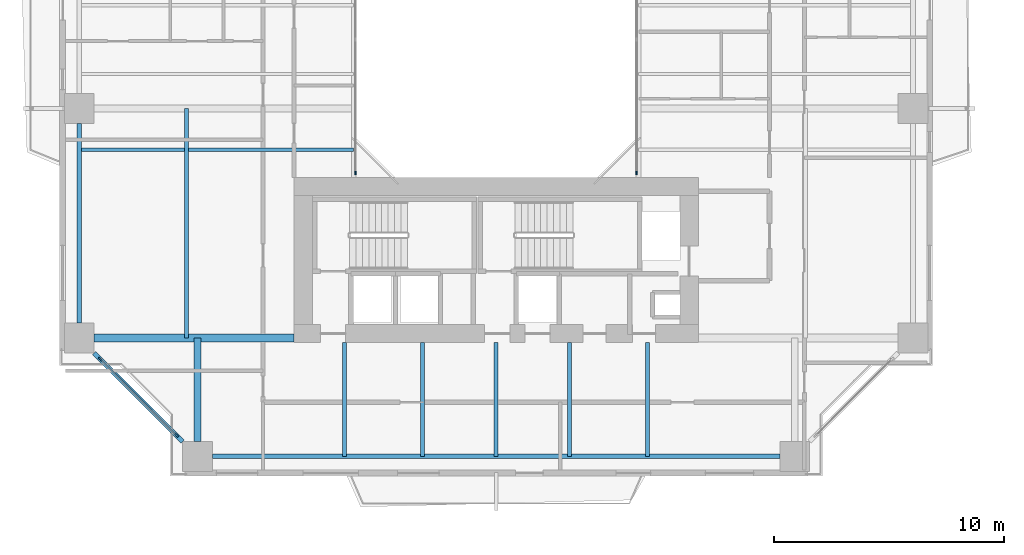
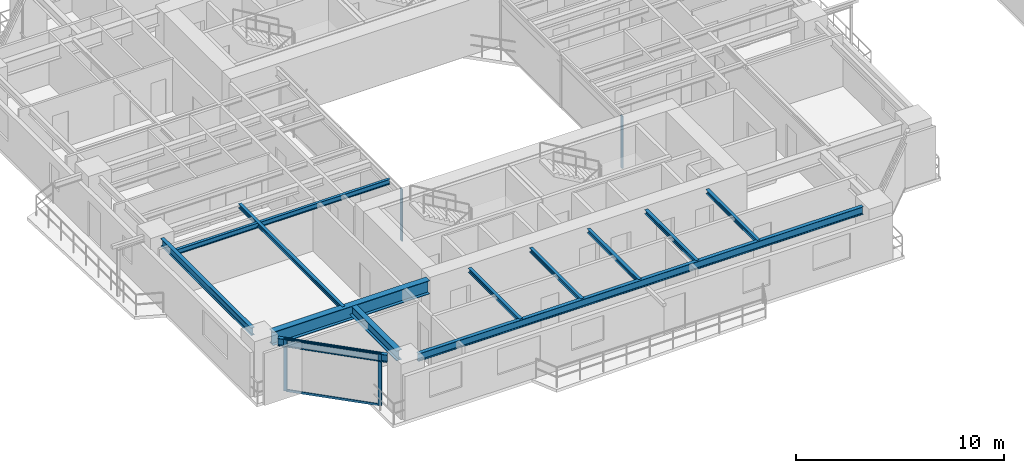
# One storey, part 2 of 23: 12 beams, 6 members, 3 elements without a shape of their own.
"""IFC4 building model written with IfcOpenShell, lengths in metres."""

from ifc_helpers import new_model, si_unit, direction, frame, origin, origin_2d, place, context, subcontext, project, spatial, rectangle, i_section, extrude, source, transform, mapped, material, layer, layer_set, material_profile, profile_set, type_object, element, aggregate, save


model = new_model("IFC4")

# Units and contexts
model_context = context("Model", 3, precision=1e-05, world=origin(), true_north=direction((0.0, 1.0)))
body_context = subcontext(model_context, "Body", "Model", "MODEL_VIEW")
ifc_project = project(units=[si_unit("LENGTHUNIT", "METRE"), si_unit("AREAUNIT", "SQUARE_METRE"), si_unit("VOLUMEUNIT", "CUBIC_METRE"), si_unit("PLANEANGLEUNIT", "RADIAN"), si_unit("MASSUNIT", "GRAM", prefix="KILO"), si_unit("THERMODYNAMICTEMPERATUREUNIT", "KELVIN"), si_unit("POWERUNIT", "WATT")], contexts=[model_context])

# Site, building, storey
site_placement = place(None, origin())
site = spatial("IfcSite", under=ifc_project, at=site_placement, CompositionType="ELEMENT")
building_placement = place(site_placement, origin())
building = spatial("IfcBuilding", under=site, at=building_placement, Name="Qiaomeng Ring Towers", CompositionType="ELEMENT")
storey_placement = place(building_placement, frame((0.0, 0.0, 79.5)))
storey = spatial("IfcBuildingStorey", under=building, at=storey_placement, Name="L22", CompositionType="ELEMENT", Elevation=79.5)

# Beams
ifc_material_1 = material(Name="Steel Q355B", Category="steel")
ifc_material_profile_1 = material_profile(ifc_material_1, i_section(OverallWidth=0.199951171875, OverallDepth=0.449951171875, WebThickness=0.009033203125, FlangeThickness=0.013916015625, FilletRadius=0.01806640625, at=origin_2d()), Name="HN 450x200x9x14")
ifc_profile_set_1 = profile_set([ifc_material_profile_1], Name="Steel Q355B")
beam_type_1 = type_object("IfcBeamType", Name="STR-BM-HN450", PredefinedType="SPANDREL", material=ifc_profile_set_1)
shared_shape_1 = source(origin(), body_context, "Body", "SweptSolid", [
    extrude(i_section(OverallWidth=0.199951171875, OverallDepth=0.449951171875, WebThickness=0.009033203125, FlangeThickness=0.013916015625, FilletRadius=0.01806640625, at=origin_2d()), origin(), (0.0, 0.0, 1.0), 24.7021484375),
])
beam_1_placement = place(storey_placement, frame((6.64892578125, 4.85009765625, 2.844970703125), z_axis=(1.0, 0.0, 0.0), x_axis=(0.0, 1.0, 0.0)))
element("IfcBeam", 1, at=beam_1_placement, inside=storey, type_object=beam_type_1, Name="L22 beam STR-SP-L22-T1-S1-S2", PredefinedType="SPANDREL", context=body_context, shape_type="MappedRepresentation", body=[
    mapped(shared_shape_1, transform((0.0, 0.0, 0.0), x_axis=(1.0, 0.0, 0.0), y_axis=(0.0, 1.0, 0.0), z_axis=(0.0, 0.0, 1.0), scale=1.0)),
])
shared_shape_2 = source(origin(), body_context, "Body", "SweptSolid", [
    extrude(i_section(OverallWidth=0.199951171875, OverallDepth=0.449951171875, WebThickness=0.009033203125, FlangeThickness=0.013916015625, FilletRadius=0.01806640625, at=origin_2d()), origin(), (0.0, 0.0, 1.0), 5.446533203125),
])
beam_2_placement = place(storey_placement, frame((1.499267578125, 9.3505859375, 2.844970703125), z_axis=(0.707106781187, -0.707106781187, 0.0), x_axis=(0.707106781187, 0.707106781187, 0.0)))
element("IfcBeam", 2, at=beam_2_placement, inside=storey, type_object=beam_type_1, Name="L22 beam STR-SP-L22-T1-W1-S1", PredefinedType="SPANDREL", context=body_context, shape_type="MappedRepresentation", body=[
    mapped(shared_shape_2, transform((0.0, 0.0, 0.0), x_axis=(1.0, 0.0, 0.0), y_axis=(0.0, 1.0, 0.0), z_axis=(0.0, 0.0, 1.0), scale=1.0)),
])
shared_shape_3 = source(origin(), body_context, "Body", "SweptSolid", [
    extrude(i_section(OverallWidth=0.199951171875, OverallDepth=0.449951171875, WebThickness=0.009033203125, FlangeThickness=0.013916015625, FilletRadius=0.01806640625, at=origin_2d()), origin(), (0.0, 0.0, 1.0), 8.7021484375),
])
beam_3_placement = place(storey_placement, frame((0.85009765625, 19.35107421875, 2.844970703125), z_axis=(0.0, -1.0, 0.0), x_axis=(1.0, 0.0, 0.0)))
element("IfcBeam", 3, at=beam_3_placement, inside=storey, type_object=beam_type_1, Name="L22 beam STR-SP-L22-T1-W2-W1", PredefinedType="SPANDREL", context=body_context, shape_type="MappedRepresentation", body=[
    mapped(shared_shape_3, transform((0.0, 0.0, 0.0), x_axis=(1.0, 0.0, 0.0), y_axis=(0.0, 1.0, 0.0), z_axis=(0.0, 0.0, 1.0), scale=1.0)),
])
ifc_material_2 = material(Name="Steel Q390GJC", Category="steel")
ifc_material_profile_2 = material_profile(ifc_material_2, i_section(OverallWidth=0.35009765625, OverallDepth=0.800048828125, WebThickness=0.01611328125, FlangeThickness=0.028076171875, at=origin_2d()), Name="WH 800x350x16x28")
ifc_profile_set_2 = profile_set([ifc_material_profile_2], Name="Steel Q390GJC")
beam_type_2 = type_object("IfcBeamType", Name="STR-BM-WH800", PredefinedType="BEAM", material=ifc_profile_set_2)
shared_shape_4 = source(origin(), body_context, "Body", "SweptSolid", [
    extrude(i_section(OverallWidth=0.35009765625, OverallDepth=0.800048828125, WebThickness=0.01611328125, FlangeThickness=0.028076171875, at=origin_2d()), origin(), (0.0, 0.0, 1.0), 8.700927734375),
])
beam_4_placement = place(storey_placement, frame((1.4990234375, 10.0, 2.669921875), z_axis=(1.0, 0.0, 0.0), x_axis=(0.0, 1.0, 0.0)))
element("IfcBeam", 4, at=beam_4_placement, inside=storey, type_object=beam_type_2, Name="L22 beam STR-BM-L22-T1-RAD-W1", PredefinedType="BEAM", context=body_context, shape_type="MappedRepresentation", body=[
    mapped(shared_shape_4, transform((0.0, 0.0, 0.0), x_axis=(1.0, 0.0, 0.0), y_axis=(0.0, 1.0, 0.0), z_axis=(0.0, 0.0, 1.0), scale=1.0)),
])
ifc_material_profile_3 = material_profile(ifc_material_1, i_section(OverallWidth=0.300048828125, OverallDepth=0.587890625, WebThickness=0.011962890625, FlangeThickness=0.02001953125, FilletRadius=0.028076171875, at=origin_2d()), Name="HM 588x300x12x20")
ifc_profile_set_3 = profile_set([ifc_material_profile_3], Name="Steel Q355B")
beam_type_3 = type_object("IfcBeamType", Name="STR-BM-HM588", PredefinedType="BEAM", material=ifc_profile_set_3)
shared_shape_5 = source(origin(), body_context, "Body", "SweptSolid", [
    extrude(i_section(OverallWidth=0.300048828125, OverallDepth=0.587890625, WebThickness=0.011962890625, FlangeThickness=0.02001953125, FilletRadius=0.028076171875, at=origin_2d()), origin(), (0.0, 0.0, 1.0), 4.5009765625),
])
beam_5_placement = place(storey_placement, frame((6.0, 5.4990234375, 2.77587890625), z_axis=(0.0, 1.0, 0.0), x_axis=(-1.0, 0.0, 0.0)))
element("IfcBeam", 5, at=beam_5_placement, inside=storey, type_object=beam_type_3, Name="L22 beam STR-BM-L22-T1-RAD-S1", PredefinedType="BEAM", context=body_context, shape_type="MappedRepresentation", body=[
    mapped(shared_shape_5, transform((0.0, 0.0, 0.0), x_axis=(1.0, 0.0, 0.0), y_axis=(0.0, 1.0, 0.0), z_axis=(0.0, 0.0, 1.0), scale=1.0)),
])
ifc_material_profile_4 = material_profile(ifc_material_1, i_section(OverallWidth=0.175048828125, OverallDepth=0.243896484375, WebThickness=0.007080078125, FlangeThickness=0.010986328125, FilletRadius=0.01611328125, at=origin_2d()), Name="HM 244x175x7x11")
ifc_profile_set_4 = profile_set([ifc_material_profile_4], Name="Steel Q355B")
beam_type_4 = type_object("IfcBeamType", Name="STR-BM-HM244", PredefinedType="JOIST", material=ifc_profile_set_4)
shared_shape_6 = source(origin(), body_context, "Body", "SweptSolid", [
    extrude(i_section(OverallWidth=0.175048828125, OverallDepth=0.243896484375, WebThickness=0.007080078125, FlangeThickness=0.010986328125, FilletRadius=0.01611328125, at=origin_2d()), origin(), (0.0, 0.0, 1.0), 4.949951171875),
])
for number, where, z_axis, x_axis, name in (
    (6, (12.39990234375, 4.85009765625, 2.947998046875), (0.0, 1.0, 0.0), (-1.0, 0.0, 0.0), "L22 beam STR-JST-L22-T1S-1"),
    (7, (15.800048828125, 4.85009765625, 2.947998046875), (0.0, 1.0, 0.0), (-1.0, 0.0, 0.0), "L22 beam STR-JST-L22-T1S-2"),
    (8, (19.0, 4.85009765625, 2.947998046875), (0.0, 1.0, 0.0), (-1.0, 0.0, 0.0), "L22 beam STR-JST-L22-T1S-3"),
    (9, (22.199951171875, 4.85009765625, 2.947998046875), (0.0, 1.0, 0.0), (-1.0, 0.0, 0.0), "L22 beam STR-JST-L22-T1S-4"),
    (10, (25.60009765625, 4.85009765625, 2.947998046875), (0.0, 1.0, 0.0), (-1.0, 0.0, 0.0), "L22 beam STR-JST-L22-T1S-5"),
):
    element("IfcBeam", number, at=place(storey_placement, frame(where, z_axis=z_axis, x_axis=x_axis)), inside=storey, type_object=beam_type_4, Name=name, PredefinedType="JOIST", context=body_context, shape_type="MappedRepresentation", body=[
        mapped(shared_shape_6, transform((0.0, 0.0, 0.0), x_axis=(1.0, 0.0, 0.0), y_axis=(0.0, 1.0, 0.0), z_axis=(0.0, 0.0, 1.0), scale=1.0)),
    ])
ifc_material_profile_5 = material_profile(ifc_material_1, i_section(OverallWidth=0.14990234375, OverallDepth=0.300048828125, WebThickness=0.006591796875, FlangeThickness=0.009033203125, FilletRadius=0.012939453125, at=origin_2d()), Name="HN 300x150x6.5x9")
ifc_profile_set_5 = profile_set([ifc_material_profile_5], Name="Steel Q355B")
beam_type_5 = type_object("IfcBeamType", Name="STR-BM-HN300", PredefinedType="JOIST", material=ifc_profile_set_5)
shared_shape_7 = source(origin(), body_context, "Body", "SweptSolid", [
    extrude(i_section(OverallWidth=0.14990234375, OverallDepth=0.300048828125, WebThickness=0.006591796875, FlangeThickness=0.009033203125, FilletRadius=0.012939453125, at=origin_2d()), origin(), (0.0, 0.0, 1.0), 11.949951171875),
])
beam_6_placement = place(storey_placement, frame((0.85009765625, 18.199951171875, 2.919921875), z_axis=(1.0, 0.0, 0.0), x_axis=(0.0, 1.0, 0.0)))
element("IfcBeam", 11, at=beam_6_placement, inside=storey, type_object=beam_type_5, Name="L22 beam STR-JST-L22-T1W-1", PredefinedType="JOIST", context=body_context, shape_type="MappedRepresentation", body=[
    mapped(shared_shape_7, transform((0.0, 0.0, 0.0), x_axis=(1.0, 0.0, 0.0), y_axis=(0.0, 1.0, 0.0), z_axis=(0.0, 0.0, 1.0), scale=1.0)),
])
shared_shape_8 = source(origin(), body_context, "Body", "SweptSolid", [
    extrude(i_section(OverallWidth=0.175048828125, OverallDepth=0.243896484375, WebThickness=0.007080078125, FlangeThickness=0.010986328125, FilletRadius=0.01611328125, at=origin_2d()), origin(), (0.0, 0.0, 1.0), 10.0),
])
beam_7_placement = place(storey_placement, frame((5.52490234375, 10.0, 2.947998046875), z_axis=(0.0, 1.0, 0.0), x_axis=(-1.0, 0.0, 0.0)))
element("IfcBeam", 12, at=beam_7_placement, inside=storey, type_object=beam_type_4, Name="L22 beam STR-JST-L22-T1C-WS", PredefinedType="JOIST", context=body_context, shape_type="MappedRepresentation", body=[
    mapped(shared_shape_8, transform((0.0, 0.0, 0.0), x_axis=(1.0, 0.0, 0.0), y_axis=(0.0, 1.0, 0.0), z_axis=(0.0, 0.0, 1.0), scale=1.0)),
])

# Curtain wall, member
ifc_material_3 = material(Name="Fluorocarbon dark-grey aluminium", Category="aluminium")
ifc_layer_1 = layer(ifc_material_3, 0.139892578125, Name="Fluorocarbon dark-grey aluminium")
ifc_layer_set_1 = layer_set([ifc_layer_1], Name="Fluorocarbon dark-grey aluminium")
curtain_wall_type_1 = type_object("IfcCurtainWallType", Name="ARC-CW-4", PredefinedType="NOTDEFINED", material=ifc_layer_set_1)
curtain_wall_1_placement = place(storey_placement, origin())
curtain_wall_1 = element("IfcCurtainWall", 13, at=curtain_wall_1_placement, inside=storey, type_object=curtain_wall_type_1, Name="L22 Curtain Wall CW4", PredefinedType="NOTDEFINED")
ifc_material_profile_6 = material_profile(ifc_material_3, rectangle(XDim=0.06494140625, YDim=0.159912109375, at=origin_2d()), Name="ALU MULL 65x160")
ifc_profile_set_6 = profile_set([ifc_material_profile_6], Name="Fluorocarbon dark-grey aluminium")
member_type_1 = type_object("IfcMemberType", Name="ARC-CWM-140", PredefinedType="MULLION", material=ifc_profile_set_6)
shared_shape_9 = source(origin(), body_context, "Body", "SweptSolid", [
    extrude(rectangle(XDim=0.06494140625, YDim=0.159912109375, at=origin_2d()), origin(), (0.0, 0.0, 1.0), 3.070068359375),
])
member_1_placement = place(storey_placement, frame((12.8798828125, 17.1826171875, 0.0), z_axis=(0.0, 0.0, 1.0), x_axis=(-1.0, 0.0, 0.0)))
member_1 = element("IfcMember", 14, at=member_1_placement, type_object=member_type_1, Name="CW4 mullion 1", PredefinedType="MULLION", context=body_context, shape_type="MappedRepresentation", body=[
    mapped(shared_shape_9, transform((0.0, 0.0, 0.0), x_axis=(1.0, 0.0, 0.0), y_axis=(0.0, 1.0, 0.0), z_axis=(0.0, 0.0, 1.0), scale=1.0)),
])
aggregate(curtain_wall_1, [member_1])

curtain_wall_2_placement = place(storey_placement, origin())
curtain_wall_2 = element("IfcCurtainWall", 15, at=curtain_wall_2_placement, inside=storey, type_object=curtain_wall_type_1, Name="L22 Curtain Wall CW4", PredefinedType="NOTDEFINED")
member_2_placement = place(storey_placement, frame((25.1201171875, 17.1826171875, 0.0), z_axis=(0.0, 0.0, 1.0), x_axis=(-1.0, 0.0, 0.0)))
member_2 = element("IfcMember", 16, at=member_2_placement, type_object=member_type_1, Name="CW4 mullion 1", PredefinedType="MULLION", context=body_context, shape_type="MappedRepresentation", body=[
    mapped(shared_shape_9, transform((0.0, 0.0, 0.0), x_axis=(1.0, 0.0, 0.0), y_axis=(0.0, 1.0, 0.0), z_axis=(0.0, 0.0, 1.0), scale=1.0)),
])
aggregate(curtain_wall_2, [member_2])

# Curtain wall, members
ifc_layer_2 = layer(ifc_material_3, 0.159912109375, Name="Fluorocarbon dark-grey aluminium")
ifc_layer_set_2 = layer_set([ifc_layer_2], Name="Fluorocarbon dark-grey aluminium")
curtain_wall_type_2 = type_object("IfcCurtainWallType", Name="ARC-CW-2", PredefinedType="NOTDEFINED", material=ifc_layer_set_2)
curtain_wall_3_placement = place(storey_placement, origin())
curtain_wall_3 = element("IfcCurtainWall", 17, at=curtain_wall_3_placement, inside=storey, type_object=curtain_wall_type_2, Name="L22 Curtain Wall CW2", PredefinedType="NOTDEFINED")
ifc_material_profile_7 = material_profile(ifc_material_3, rectangle(XDim=0.070068359375, YDim=0.179931640625, at=origin_2d()), Name="ALU MULL 70x180")
ifc_profile_set_7 = profile_set([ifc_material_profile_7], Name="Fluorocarbon dark-grey aluminium")
member_type_2 = type_object("IfcMemberType", Name="ARC-CWM-160", PredefinedType="MULLION", material=ifc_profile_set_7)
shared_shape_10 = source(origin(), body_context, "Body", "SweptSolid", [
    extrude(rectangle(XDim=0.070068359375, YDim=0.179931640625, at=origin_2d()), origin(), (0.0, 0.0, 1.0), 3.070068359375),
])
member_3_placement = place(storey_placement, frame((1.7646484375, 9.085205078125, 0.0), z_axis=(0.0, 0.0, 1.0), x_axis=(0.707106781187, 0.707106781187, 0.0)))
member_3 = element("IfcMember", 18, at=member_3_placement, type_object=member_type_2, Name="CW2 mullion 1", PredefinedType="MULLION", context=body_context, shape_type="MappedRepresentation", body=[
    mapped(shared_shape_10, transform((0.0, 0.0, 0.0), x_axis=(1.0, 0.0, 0.0), y_axis=(0.0, 1.0, 0.0), z_axis=(0.0, 0.0, 1.0), scale=1.0)),
])
member_4_placement = place(storey_placement, frame((5.085205078125, 5.7646484375, 0.0), z_axis=(0.0, 0.0, 1.0), x_axis=(0.707106781187, 0.707106781187, 0.0)))
member_4 = element("IfcMember", 19, at=member_4_placement, type_object=member_type_2, Name="CW2 mullion 2", PredefinedType="MULLION", context=body_context, shape_type="MappedRepresentation", body=[
    mapped(shared_shape_10, transform((0.0, 0.0, 0.0), x_axis=(1.0, 0.0, 0.0), y_axis=(0.0, 1.0, 0.0), z_axis=(0.0, 0.0, 1.0), scale=1.0)),
])
ifc_material_profile_8 = material_profile(ifc_material_3, rectangle(XDim=0.06494140625, YDim=0.1298828125, at=origin_2d()), Name="ALU TRAN 65x130")
ifc_profile_set_8 = profile_set([ifc_material_profile_8], Name="Fluorocarbon dark-grey aluminium")
member_type_3 = type_object("IfcMemberType", Name="ARC-CWT-120", PredefinedType="USERDEFINED", material=ifc_profile_set_8)
shared_shape_11 = source(origin(), body_context, "Body", "SweptSolid", [
    extrude(rectangle(XDim=0.06494140625, YDim=0.1298828125, at=origin_2d()), origin(), (0.0, 0.0, 1.0), 4.6259765625),
])
member_5_placement = place(storey_placement, frame((1.78955078125, 9.060546875, 0.032470703125), z_axis=(0.707106781187, -0.707106781187, 0.0), x_axis=(0.707106781187, 0.707106781187, 0.0)))
member_5 = element("IfcMember", 20, at=member_5_placement, type_object=member_type_3, Name="CW2 transom 1.1", ObjectType="TRANSOM", PredefinedType="USERDEFINED", context=body_context, shape_type="MappedRepresentation", body=[
    mapped(shared_shape_11, transform((0.0, 0.0, 0.0), x_axis=(1.0, 0.0, 0.0), y_axis=(0.0, 1.0, 0.0), z_axis=(0.0, 0.0, 1.0), scale=1.0)),
])
member_6_placement = place(storey_placement, frame((1.78955078125, 9.060546875, 3.03759765625), z_axis=(0.707106781187, -0.707106781187, 0.0), x_axis=(0.707106781187, 0.707106781187, 0.0)))
member_6 = element("IfcMember", 21, at=member_6_placement, type_object=member_type_3, Name="CW2 transom 1.2", ObjectType="TRANSOM", PredefinedType="USERDEFINED", context=body_context, shape_type="MappedRepresentation", body=[
    mapped(shared_shape_11, transform((0.0, 0.0, 0.0), x_axis=(1.0, 0.0, 0.0), y_axis=(0.0, 1.0, 0.0), z_axis=(0.0, 0.0, 1.0), scale=1.0)),
])
aggregate(curtain_wall_3, [member_3, member_4, member_5, member_6])

save(model, "model.ifc")
